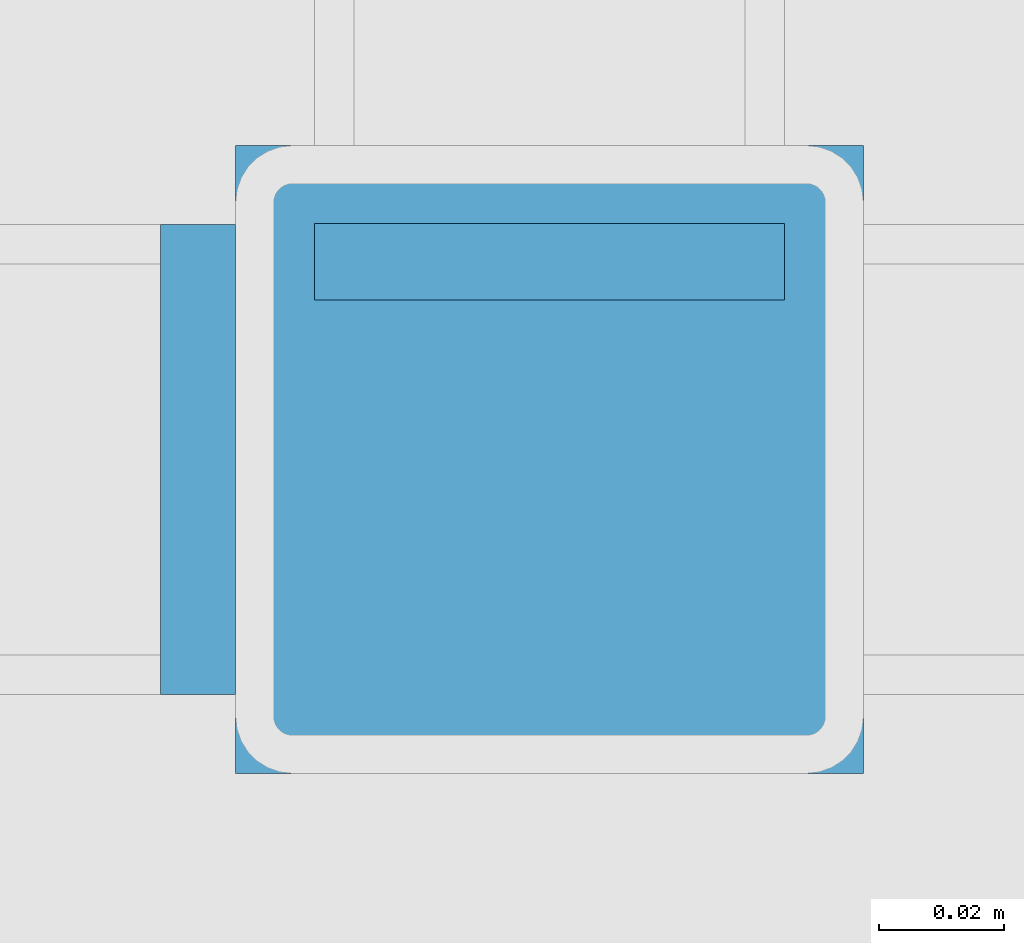
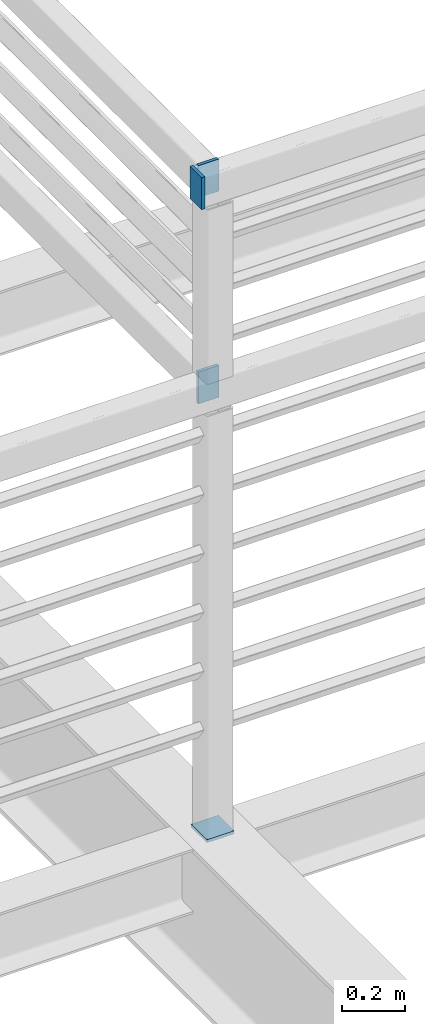
# One storey, part 40 of 57: 4 discrete accessories.
"""IFC4 building model written with IfcOpenShell, lengths in metres."""

from ifc_helpers import new_model, si_unit, direction, frame, origin, origin_2d, place, context, subcontext, project, spatial, rectangle, extrude, material, material_profile, profile_set, type_object, element, save


model = new_model("IFC4")

# Units and contexts
model_context = context("Model", 3, precision=1e-05, world=origin(), true_north=direction((0.0, 1.0)))
body_context = subcontext(model_context, "Body", "Model", "MODEL_VIEW")
ifc_project = project(units=[si_unit("LENGTHUNIT", "METRE"), si_unit("AREAUNIT", "SQUARE_METRE"), si_unit("VOLUMEUNIT", "CUBIC_METRE"), si_unit("PLANEANGLEUNIT", "RADIAN"), si_unit("MASSUNIT", "GRAM", prefix="KILO")], contexts=[model_context])

# Site, building, storey
site_placement = place(None, origin())
site = spatial("IfcSite", under=ifc_project, at=site_placement, CompositionType="ELEMENT")
building_placement = place(site_placement, origin())
building = spatial("IfcBuilding", under=site, at=building_placement, Name="Saffron Lane Theatres", CompositionType="ELEMENT")
storey_placement = place(building_placement, frame((0.0, 0.0, 28.0)))
storey = spatial("IfcBuildingStorey", under=building, at=storey_placement, Name="Upper Roof", CompositionType="ELEMENT", Elevation=28.0)

# Discrete accessories
ifc_material_1 = material(Name="Steel Grade 350", Category="steel")
ifc_material_profile_1 = material_profile(ifc_material_1, rectangle(XDim=0.10009765625, YDim=0.10009765625, at=origin_2d()))
ifc_profile_set_1 = profile_set([ifc_material_profile_1], Name="Steel Grade 350")
discrete_accessory_type_1 = type_object("IfcDiscreteAccessoryType", Name="ST-STEEL END CAP 100x100x6 SHS", PredefinedType="ANCHORPLATE", material=ifc_profile_set_1)
discrete_accessory_1_placement = place(storey_placement, frame((30.0, 36.25, 8.837890625), z_axis=(0.0, 0.0, 1.0), x_axis=(1.0, 0.0, 0.0)))
element("IfcDiscreteAccessory", 1, at=discrete_accessory_1_placement, inside=storey, type_object=discrete_accessory_type_1, Name="EC118", PredefinedType="ANCHORPLATE", context=body_context, shape_type="SweptSolid", body=[
    extrude(rectangle(XDim=0.10009765625, YDim=0.10009765625, at=origin_2d()), origin(), (0.0, 0.0, 1.0), 0.01220703125),
])
ifc_material_2 = material(Name="Steel Grade 350", Category="steel")
ifc_material_profile_2 = material_profile(ifc_material_2, rectangle(XDim=0.074951171875, YDim=0.125, at=origin_2d()))
ifc_profile_set_2 = profile_set([ifc_material_profile_2], Name="Steel Grade 350")
discrete_accessory_type_2 = type_object("IfcDiscreteAccessoryType", Name="ST-STEEL END CAP 125x75x5 RHS", PredefinedType="ANCHORPLATE", material=ifc_profile_set_2)
discrete_accessory_2_placement = place(storey_placement, frame((30.0, 36.275390625, 10.5625), z_axis=(0.0, 1.0, 0.0), x_axis=(-1.0, 0.0, 0.0)))
element("IfcDiscreteAccessory", 2, at=discrete_accessory_2_placement, inside=storey, type_object=discrete_accessory_type_2, Name="EC135", PredefinedType="ANCHORPLATE", context=body_context, shape_type="SweptSolid", body=[
    extrude(rectangle(XDim=0.074951171875, YDim=0.125, at=origin_2d()), origin(), (0.0, 0.0, 1.0), 0.01220703125),
])
discrete_accessory_3_placement = place(storey_placement, frame((29.93798828125, 36.25, 11.367431640625), z_axis=(1.0, 0.0, 0.0), x_axis=(0.0, 1.0, 0.0)))
element("IfcDiscreteAccessory", 3, at=discrete_accessory_3_placement, inside=storey, type_object=discrete_accessory_type_2, Name="EC141", PredefinedType="ANCHORPLATE", context=body_context, shape_type="SweptSolid", body=[
    extrude(rectangle(XDim=0.074951171875, YDim=0.125, at=origin_2d()), origin(), (0.0, 0.0, 1.0), 0.011962890625),
])
discrete_accessory_4_placement = place(storey_placement, frame((30.0, 36.275390625, 11.367431640625), z_axis=(0.0, 1.0, 0.0), x_axis=(-1.0, 0.0, 0.0)))
element("IfcDiscreteAccessory", 4, at=discrete_accessory_4_placement, inside=storey, type_object=discrete_accessory_type_2, Name="EC147", PredefinedType="ANCHORPLATE", context=body_context, shape_type="SweptSolid", body=[
    extrude(rectangle(XDim=0.074951171875, YDim=0.125, at=origin_2d()), origin(), (0.0, 0.0, 1.0), 0.01220703125),
])

save(model, "model.ifc")
